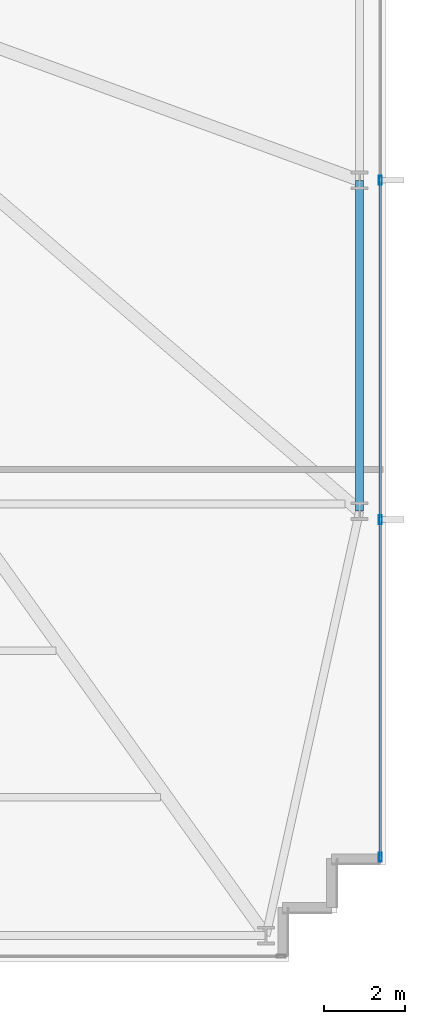
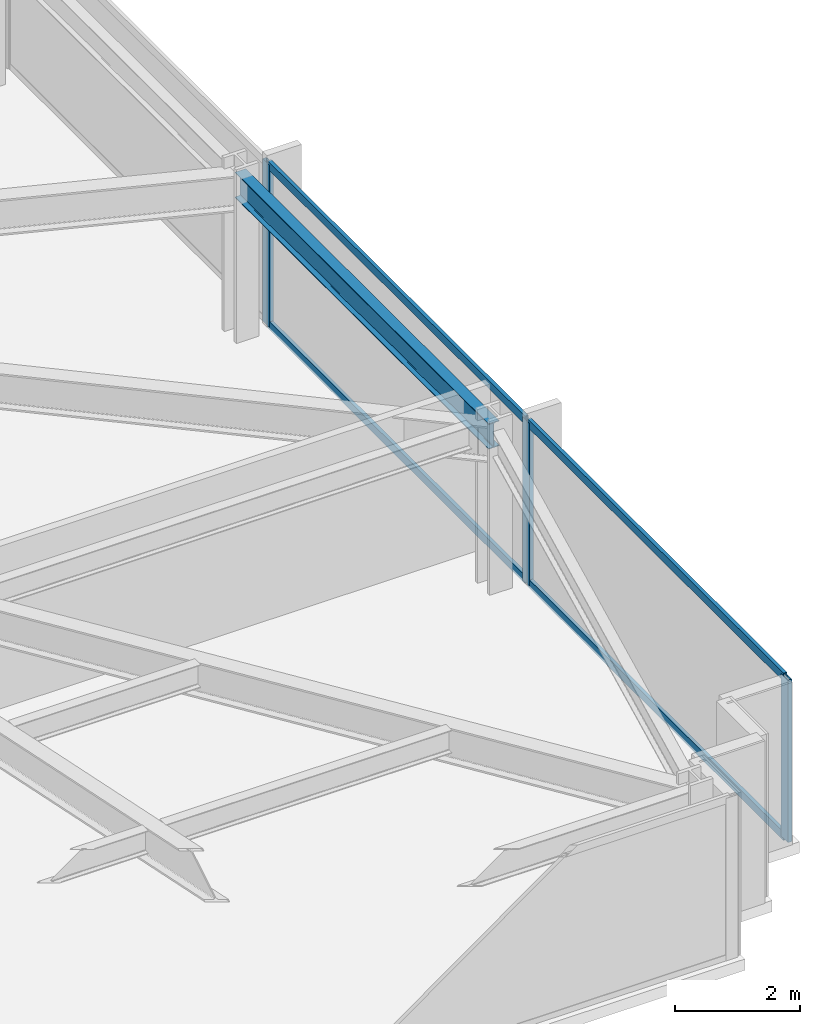
# One storey, part 22 of 33: 7 members, 1 beam, 1 element without a shape of its own.
"""IFC4 building model written with IfcOpenShell, lengths in metres."""

from ifc_helpers import new_model, si_unit, direction, frame, origin, origin_2d, place, context, subcontext, project, spatial, hollow_rectangle, i_section, extrude, material, material_profile, profile_set, type_object, element, aggregate, save


model = new_model("IFC4")

# Units and contexts
model_context = context("Model", 3, precision=1e-05, world=origin(), true_north=direction((0.0, 1.0)))
body_context = subcontext(model_context, "Body", "Model", "MODEL_VIEW")
ifc_project = project(units=[si_unit("LENGTHUNIT", "METRE"), si_unit("AREAUNIT", "SQUARE_METRE"), si_unit("VOLUMEUNIT", "CUBIC_METRE"), si_unit("PLANEANGLEUNIT", "RADIAN"), si_unit("MASSUNIT", "GRAM", prefix="KILO")], contexts=[model_context])

# Site, building, storey
site_placement = place(None, origin())
site = spatial("IfcSite", under=ifc_project, at=site_placement, CompositionType="ELEMENT")
building_placement = place(site_placement, origin())
building = spatial("IfcBuilding", under=site, at=building_placement, Name="Yelkora Congress Tower", CompositionType="ELEMENT")
storey_placement = place(building_placement, frame((0.0, 0.0, 47.39990234375)))
storey = spatial("IfcBuildingStorey", under=building, at=storey_placement, Name="L11", CompositionType="ELEMENT", Elevation=47.39990234375)

# Beam
ifc_material_1 = material(Name="Steel S355J2", Category="steel")
ifc_material_profile_1 = material_profile(ifc_material_1, i_section(OverallWidth=0.199951171875, OverallDepth=0.5, WebThickness=0.01025390625, FlangeThickness=0.01611328125, FilletRadius=0.02099609375, at=origin_2d()), Name="IPE 500")
ifc_profile_set_1 = profile_set([ifc_material_profile_1], Name="Steel S355J2")
beam_type = type_object("IfcBeamType", Name="BM-SPAN-IPE500", PredefinedType="SPANDREL", material=ifc_profile_set_1)
beam_placement = place(storey_placement, frame((70.14990234375, 21.27490234375, 2.93017578125), z_axis=(0.0, 1.0, 0.0), x_axis=(-1.0, 0.0, 0.0)))
element("IfcBeam", 1, at=beam_placement, inside=storey, type_object=beam_type, Name="L11 Perimeter Beam 11", PredefinedType="SPANDREL", context=body_context, shape_type="SweptSolid", body=[
    extrude(i_section(OverallWidth=0.199951171875, OverallDepth=0.5, WebThickness=0.01025390625, FlangeThickness=0.01611328125, FilletRadius=0.02099609375, at=origin_2d()), origin(), (0.0, 0.0, 1.0), 8.125),
])

# Curtain wall, members
ifc_material_2 = material(Name="Anodised aluminium and insulated glass", Category="aluminium")
curtain_wall_type = type_object("IfcCurtainWallType", Name="CW-SYS-B1", PredefinedType="NOTDEFINED", material=ifc_material_2)
curtain_wall_placement = place(storey_placement, origin())
curtain_wall = element("IfcCurtainWall", 2, at=curtain_wall_placement, inside=storey, type_object=curtain_wall_type, Name="L11 Unitised Curtain Wall 15", PredefinedType="NOTDEFINED")
ifc_material_3 = material(Name="Anodised aluminium 6063-T6", Category="aluminium")
ifc_material_profile_2 = material_profile(ifc_material_3, hollow_rectangle(XDim=0.074951171875, YDim=0.219970703125, WallThickness=0.0048828125, at=origin_2d()), Name="ALU 75x220x5")
ifc_profile_set_2 = profile_set([ifc_material_profile_2], Name="Anodised aluminium 6063-T6")
member_type_1 = type_object("IfcMemberType", Name="MEM-ML-B1", PredefinedType="MULLION", material=ifc_profile_set_2)
member_1_placement = place(storey_placement, frame((70.659912109375, 29.39990234375, 0.0), z_axis=(0.0, 0.0, 1.0), x_axis=(1.0, 0.0, 0.0)))
member_1 = element("IfcMember", 3, at=member_1_placement, type_object=member_type_1, Name="CW-B1 mullion 3", PredefinedType="MULLION", context=body_context, shape_type="SweptSolid", body=[
    extrude(hollow_rectangle(XDim=0.074951171875, YDim=0.219970703125, WallThickness=0.0048828125, at=origin_2d()), origin(), (0.0, 0.0, 1.0), 3.18017578125),
])
member_2_placement = place(storey_placement, frame((70.659912109375, 21.070068359375, 0.0), z_axis=(0.0, 0.0, 1.0), x_axis=(1.0, 0.0, 0.0)))
member_2 = element("IfcMember", 4, at=member_2_placement, type_object=member_type_1, Name="CW-B1 mullion 4", PredefinedType="MULLION", context=body_context, shape_type="SweptSolid", body=[
    extrude(hollow_rectangle(XDim=0.074951171875, YDim=0.219970703125, WallThickness=0.0048828125, at=origin_2d()), origin(), (0.0, 0.0, 1.0), 3.18017578125),
])
member_3_placement = place(storey_placement, frame((70.659912109375, 12.777587890625, 0.0), z_axis=(0.0, 0.0, 1.0), x_axis=(1.0, 0.0, 0.0)))
member_3 = element("IfcMember", 5, at=member_3_placement, type_object=member_type_1, Name="CW-B1 mullion 5", PredefinedType="MULLION", context=body_context, shape_type="SweptSolid", body=[
    extrude(hollow_rectangle(XDim=0.074951171875, YDim=0.219970703125, WallThickness=0.0048828125, at=origin_2d()), origin(), (0.0, 0.0, 1.0), 3.18017578125),
])
ifc_material_profile_3 = material_profile(ifc_material_3, hollow_rectangle(XDim=0.06494140625, YDim=0.159912109375, WallThickness=0.00390625, at=origin_2d()), Name="ALU 65x160x4")
ifc_profile_set_3 = profile_set([ifc_material_profile_3], Name="Anodised aluminium 6063-T6")
member_type_2 = type_object("IfcMemberType", Name="MEM-TR-B1", PredefinedType="USERDEFINED", material=ifc_profile_set_3)
member_4_placement = place(storey_placement, frame((70.659912109375, 29.362548828125, 0.03271484375), z_axis=(0.0, -1.0, 0.0), x_axis=(1.0, 0.0, 0.0)))
member_4 = element("IfcMember", 6, at=member_4_placement, type_object=member_type_2, Name="CW-B1 transom 3.1", ObjectType="TRANSOM", PredefinedType="USERDEFINED", context=body_context, shape_type="SweptSolid", body=[
    extrude(hollow_rectangle(XDim=0.06494140625, YDim=0.159912109375, WallThickness=0.00390625, at=origin_2d()), origin(), (0.0, 0.0, 1.0), 8.255126953125),
])
member_5_placement = place(storey_placement, frame((70.659912109375, 29.362548828125, 3.147705078125), z_axis=(0.0, -1.0, 0.0), x_axis=(1.0, 0.0, 0.0)))
member_5 = element("IfcMember", 7, at=member_5_placement, type_object=member_type_2, Name="CW-B1 transom 3.2", ObjectType="TRANSOM", PredefinedType="USERDEFINED", context=body_context, shape_type="SweptSolid", body=[
    extrude(hollow_rectangle(XDim=0.06494140625, YDim=0.159912109375, WallThickness=0.00390625, at=origin_2d()), origin(), (0.0, 0.0, 1.0), 8.255126953125),
])
member_6_placement = place(storey_placement, frame((70.659912109375, 21.032470703125, 0.03271484375), z_axis=(0.0, -1.0, 0.0), x_axis=(1.0, 0.0, 0.0)))
member_6 = element("IfcMember", 8, at=member_6_placement, type_object=member_type_2, Name="CW-B1 transom 4.1", ObjectType="TRANSOM", PredefinedType="USERDEFINED", context=body_context, shape_type="SweptSolid", body=[
    extrude(hollow_rectangle(XDim=0.06494140625, YDim=0.159912109375, WallThickness=0.00390625, at=origin_2d()), origin(), (0.0, 0.0, 1.0), 8.217529296875),
])
member_7_placement = place(storey_placement, frame((70.659912109375, 21.032470703125, 3.147705078125), z_axis=(0.0, -1.0, 0.0), x_axis=(1.0, 0.0, 0.0)))
member_7 = element("IfcMember", 9, at=member_7_placement, type_object=member_type_2, Name="CW-B1 transom 4.2", ObjectType="TRANSOM", PredefinedType="USERDEFINED", context=body_context, shape_type="SweptSolid", body=[
    extrude(hollow_rectangle(XDim=0.06494140625, YDim=0.159912109375, WallThickness=0.00390625, at=origin_2d()), origin(), (0.0, 0.0, 1.0), 8.217529296875),
])
aggregate(curtain_wall, [member_1, member_2, member_3, member_4, member_5, member_6, member_7])

save(model, "model.ifc")
